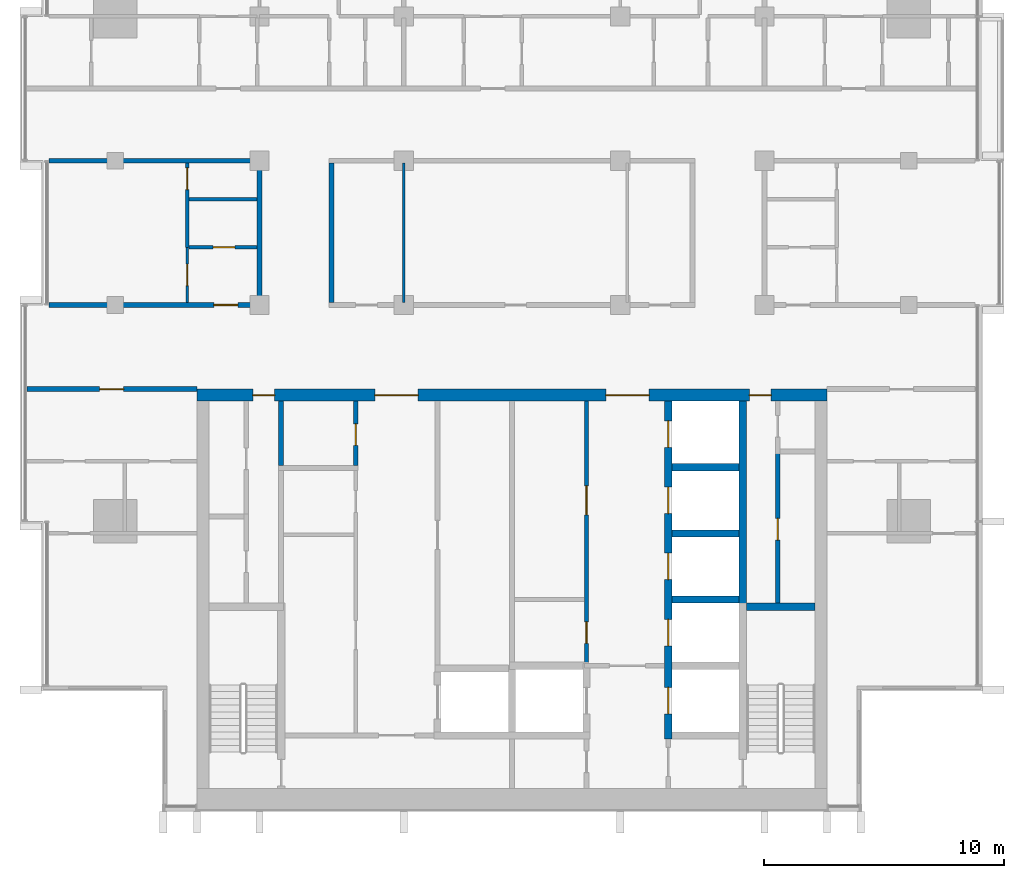
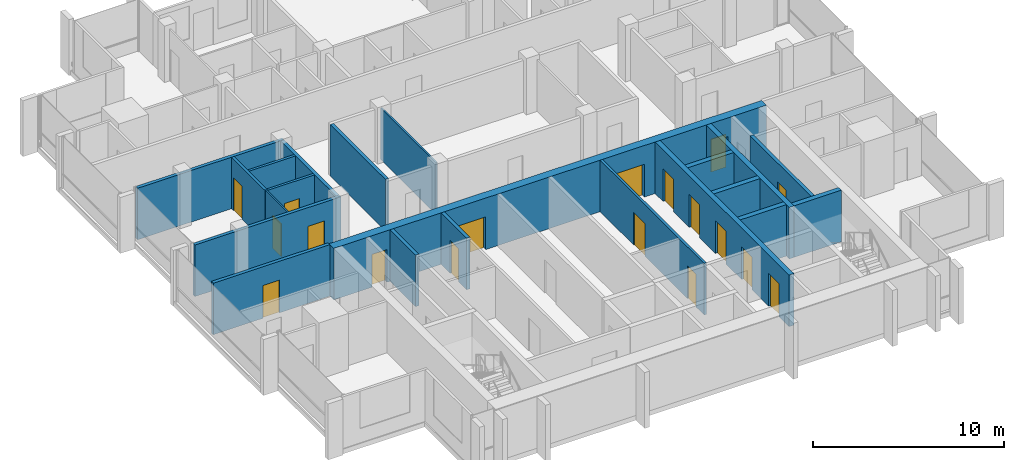
# One storey, part 8 of 16: 21 walls, 18 doors, 18 openings.
"""IFC4 building model written with IfcOpenShell, lengths in metres."""

from ifc_helpers import new_model, si_unit, direction, frame, frame_2d, origin, place, context, subcontext, project, spatial, rectangle, extrude, material, layer, layer_set, type_object, element, fill, save


model = new_model("IFC4")

# Units and contexts
model_context = context("Model", 3, precision=1e-05, world=origin(), true_north=direction((0.0, 1.0)))
body_context = subcontext(model_context, "Body", "Model", "MODEL_VIEW")
ifc_project = project(units=[si_unit("LENGTHUNIT", "METRE"), si_unit("AREAUNIT", "SQUARE_METRE"), si_unit("VOLUMEUNIT", "CUBIC_METRE"), si_unit("PLANEANGLEUNIT", "RADIAN"), si_unit("MASSUNIT", "GRAM", prefix="KILO")], contexts=[model_context])

# Site, building, storey
site_placement = place(None, origin())
site = spatial("IfcSite", under=ifc_project, at=site_placement, CompositionType="ELEMENT")
building_placement = place(site_placement, origin())
building = spatial("IfcBuilding", under=site, at=building_placement, Name="Finial Court Residences", CompositionType="ELEMENT")
storey_placement = place(building_placement, frame((0.0, 0.0, 291.5)))
storey = spatial("IfcBuildingStorey", under=building, at=storey_placement, Name="L74", CompositionType="ELEMENT", Elevation=291.5)

# Wall, openings, doors
ifc_material_1 = material(Name="Concrete C50/60", Category="concrete")
ifc_layer_1 = layer(ifc_material_1, 0.5)
ifc_layer_set_1 = layer_set([ifc_layer_1], Name="Core outer wall 500 Concrete C50/60")
wall_type_1 = type_object("IfcWallType", Name="Core outer wall 500 Concrete C50/60", PredefinedType="SHEAR", material=ifc_layer_set_1)
wall_1_placement = place(storey_placement, frame((-13.10009765625, -8.25, 0.0), z_axis=(0.0, 0.0, 1.0), x_axis=(1.0, 0.0, 0.0)))
wall_1 = element("IfcWall", 1, at=wall_1_placement, inside=storey, type_object=wall_type_1, Name="Core outer wall L74-02", PredefinedType="SHEAR", context=body_context, shape_type="SweptSolid", body=[
    extrude(rectangle(XDim=26.2001953125, YDim=0.5, at=frame_2d((13.10009765625, 0.0))), origin(), (0.0, 0.0, 1.0), 3.300048828125),
])
opening_1_placement = place(wall_1_placement, frame((7.39990234375, 0.0, 0.0)))
opening_1 = element("IfcOpeningElement", 2, at=opening_1_placement, cuts=wall_1, Name="Opening L74-C04", PredefinedType="OPENING", context=body_context, shape_type="SweptSolid", body=[
    extrude(rectangle(XDim=1.800048828125, YDim=2.10009765625, at=frame_2d((0.89990234375, 1.050048828125))), frame((0.0, 0.260009765625, 0.0), z_axis=(0.0, -1.0, 0.0), x_axis=(1.0, 0.0, 0.0)), (0.0, 0.0, 1.0), 0.52001953125),
])
opening_2_placement = place(wall_1_placement, frame((17.0, 0.0, 0.0)))
opening_2 = element("IfcOpeningElement", 3, at=opening_2_placement, cuts=wall_1, Name="Opening L74-C05", PredefinedType="OPENING", context=body_context, shape_type="SweptSolid", body=[
    extrude(rectangle(XDim=1.800048828125, YDim=2.10009765625, at=frame_2d((0.89990234375, 1.050048828125))), frame((0.0, 0.260009765625, 0.0), z_axis=(0.0, -1.0, 0.0), x_axis=(1.0, 0.0, 0.0)), (0.0, 0.0, 1.0), 0.52001953125),
])
opening_3_placement = place(wall_1_placement, frame((2.324951171875, 0.0, 0.0)))
opening_3 = element("IfcOpeningElement", 4, at=opening_3_placement, cuts=wall_1, Name="Opening L74-C11", PredefinedType="OPENING", context=body_context, shape_type="SweptSolid", body=[
    extrude(rectangle(XDim=0.89990234375, YDim=2.10009765625, at=frame_2d((0.449951171875, 1.050048828125))), frame((0.0, 0.260009765625, 0.0), z_axis=(0.0, -1.0, 0.0), x_axis=(1.0, 0.0, 0.0)), (0.0, 0.0, 1.0), 0.52001953125),
])
opening_4_placement = place(wall_1_placement, frame((22.97509765625, 0.0, 0.0)))
opening_4 = element("IfcOpeningElement", 5, at=opening_4_placement, cuts=wall_1, Name="Opening L74-C12", PredefinedType="OPENING", context=body_context, shape_type="SweptSolid", body=[
    extrude(rectangle(XDim=0.89990234375, YDim=2.10009765625, at=frame_2d((0.449951171875, 1.050048828125))), frame((0.0, 0.260009765625, 0.0), z_axis=(0.0, -1.0, 0.0), x_axis=(1.0, 0.0, 0.0)), (0.0, 0.0, 1.0), 0.52001953125),
])
ifc_material_2 = material(Name="Steel fire door", Category="steel")
door_type_1 = type_object("IfcDoorType", Name="Lift lobby door 1800 x 2100 EI 60", OperationType="DOUBLE_DOOR_SINGLE_SWING", PredefinedType="DOOR", material=ifc_material_2)
door_1_placement = place(opening_1_placement, origin())
door_1 = element("IfcDoor", 6, at=door_1_placement, inside=storey, type_object=door_type_1, Name="Lift lobby door L74-C04", OperationType="DOUBLE_DOOR_SINGLE_SWING", OverallHeight=2.10009765625, OverallWidth=1.800048828125, PredefinedType="DOOR", context=body_context, shape_type="SweptSolid", body=[
    extrude(rectangle(XDim=1.800048828125, YDim=2.10009765625, at=frame_2d((0.89990234375, 1.050048828125))), frame((0.0, 0.02490234375, 0.0), z_axis=(0.0, -1.0, 0.0), x_axis=(1.0, 0.0, 0.0)), (0.0, 0.0, 1.0), 0.050048828125),
])
fill(opening_1, door_1)
door_2_placement = place(opening_2_placement, origin())
door_2 = element("IfcDoor", 7, at=door_2_placement, inside=storey, type_object=door_type_1, Name="Lift lobby door L74-C05", OperationType="DOUBLE_DOOR_SINGLE_SWING", OverallHeight=2.10009765625, OverallWidth=1.800048828125, PredefinedType="DOOR", context=body_context, shape_type="SweptSolid", body=[
    extrude(rectangle(XDim=1.800048828125, YDim=2.10009765625, at=frame_2d((0.89990234375, 1.050048828125))), frame((0.0, 0.02490234375, 0.0), z_axis=(0.0, -1.0, 0.0), x_axis=(1.0, 0.0, 0.0)), (0.0, 0.0, 1.0), 0.050048828125),
])
fill(opening_2, door_2)
door_type_2 = type_object("IfcDoorType", Name="Riser room door 900 x 2100 EI 90", OperationType="NOTDEFINED", PredefinedType="DOOR", material=ifc_material_2)
door_3_placement = place(opening_3_placement, origin())
door_3 = element("IfcDoor", 8, at=door_3_placement, inside=storey, type_object=door_type_2, Name="Riser room door L74-C11", OperationType="SINGLE_SWING_RIGHT", OverallHeight=2.10009765625, OverallWidth=0.89990234375, PredefinedType="DOOR", context=body_context, shape_type="SweptSolid", body=[
    extrude(rectangle(XDim=0.89990234375, YDim=2.10009765625, at=frame_2d((0.449951171875, 1.050048828125))), frame((0.0, 0.02490234375, 0.0), z_axis=(0.0, -1.0, 0.0), x_axis=(1.0, 0.0, 0.0)), (0.0, 0.0, 1.0), 0.050048828125),
])
fill(opening_3, door_3)
door_4_placement = place(opening_4_placement, origin())
door_4 = element("IfcDoor", 9, at=door_4_placement, inside=storey, type_object=door_type_2, Name="Riser room door L74-C12", OperationType="SINGLE_SWING_LEFT", OverallHeight=2.10009765625, OverallWidth=0.89990234375, PredefinedType="DOOR", context=body_context, shape_type="SweptSolid", body=[
    extrude(rectangle(XDim=0.89990234375, YDim=2.10009765625, at=frame_2d((0.449951171875, 1.050048828125))), frame((0.0, 0.02490234375, 0.0), z_axis=(0.0, -1.0, 0.0), x_axis=(1.0, 0.0, 0.0)), (0.0, 0.0, 1.0), 0.050048828125),
])
fill(opening_4, door_4)

ifc_material_3 = material(Name="Fire-rated gypsum board partition")
ifc_layer_2 = layer(ifc_material_3, 0.14990234375)
ifc_layer_set_2 = layer_set([ifc_layer_2], Name="Core room partition 150 EI 60")
wall_type_2 = type_object("IfcWallType", Name="Core room partition 150 EI 60", PredefinedType="PARTITIONING", material=ifc_layer_set_2)
wall_2_placement = place(storey_placement, frame((3.10009765625, -19.39990234375, 0.0), z_axis=(0.0, 0.0, 1.0), x_axis=(0.0, 1.0, 0.0)))
wall_2 = element("IfcWall", 10, at=wall_2_placement, inside=storey, type_object=wall_type_2, Name="Core partition L74-32", PredefinedType="PARTITIONING", context=body_context, shape_type="SweptSolid", body=[
    extrude(rectangle(XDim=10.89990234375, YDim=0.14990234375, at=frame_2d((5.449951171875, 0.0))), origin(), (0.0, 0.0, 1.0), 3.300048828125),
])
opening_5_placement = place(wall_2_placement, frame((0.824951171875, 0.0, 0.0)))
opening_5 = element("IfcOpeningElement", 11, at=opening_5_placement, cuts=wall_2, Name="Opening L74-C17", PredefinedType="OPENING", context=body_context, shape_type="SweptSolid", body=[
    extrude(rectangle(XDim=0.89990234375, YDim=2.10009765625, at=frame_2d((0.449951171875, 1.050048828125))), frame((0.0, 0.0849609375, 0.0), z_axis=(0.0, -1.0, 0.0), x_axis=(1.0, 0.0, 0.0)), (0.0, 0.0, 1.0), 0.169921875),
])
opening_6_placement = place(wall_2_placement, frame((6.175048828125, 0.0, 0.0)))
opening_6 = element("IfcOpeningElement", 12, at=opening_6_placement, cuts=wall_2, Name="Opening L74-C18", PredefinedType="OPENING", context=body_context, shape_type="SweptSolid", body=[
    extrude(rectangle(XDim=1.199951171875, YDim=2.10009765625, at=frame_2d((0.60009765625, 1.050048828125))), frame((0.0, 0.0849609375, 0.0), z_axis=(0.0, -1.0, 0.0), x_axis=(1.0, 0.0, 0.0)), (0.0, 0.0, 1.0), 0.169921875),
])
door_type_3 = type_object("IfcDoorType", Name="Core room door 1200 x 2100 EI 60", OperationType="NOTDEFINED", PredefinedType="DOOR", material=ifc_material_2)
door_5_placement = place(opening_6_placement, origin())
door_5 = element("IfcDoor", 13, at=door_5_placement, inside=storey, type_object=door_type_3, Name="Core room door L74-C18", OperationType="SINGLE_SWING_LEFT", OverallHeight=2.10009765625, OverallWidth=1.199951171875, PredefinedType="DOOR", context=body_context, shape_type="SweptSolid", body=[
    extrude(rectangle(XDim=1.199951171875, YDim=2.10009765625, at=frame_2d((0.60009765625, 1.050048828125))), frame((0.0, 0.02490234375, 0.0), z_axis=(0.0, -1.0, 0.0), x_axis=(1.0, 0.0, 0.0)), (0.0, 0.0, 1.0), 0.050048828125),
])
fill(opening_6, door_5)
door_type_4 = type_object("IfcDoorType", Name="Core room door 900 x 2100 EI 60", OperationType="NOTDEFINED", PredefinedType="DOOR", material=ifc_material_2)
door_6_placement = place(opening_5_placement, origin())
door_6 = element("IfcDoor", 14, at=door_6_placement, inside=storey, type_object=door_type_4, Name="Core room door L74-C17", OperationType="SINGLE_SWING_LEFT", OverallHeight=2.10009765625, OverallWidth=0.89990234375, PredefinedType="DOOR", context=body_context, shape_type="SweptSolid", body=[
    extrude(rectangle(XDim=0.89990234375, YDim=2.10009765625, at=frame_2d((0.449951171875, 1.050048828125))), frame((0.0, 0.02490234375, 0.0), z_axis=(0.0, -1.0, 0.0), x_axis=(1.0, 0.0, 0.0)), (0.0, 0.0, 1.0), 0.050048828125),
])
fill(opening_5, door_6)

# Wall, opening, door
ifc_material_4 = material(Name="Gypsum board")
ifc_layer_3 = layer(ifc_material_4, 0.02490234375)
ifc_material_5 = material(Name="Acoustic mineral wool in double frame")
ifc_layer_4 = layer(ifc_material_5, 0.14990234375)
ifc_layer_5 = layer(ifc_material_4, 0.02490234375)
ifc_layer_set_3 = layer_set([ifc_layer_3, ifc_layer_4, ifc_layer_5], Name="Corridor wall 200, 1 hour")
wall_type_3 = type_object("IfcWallType", Name="Corridor wall 200, 1 hour", PredefinedType="PARTITIONING", material=ifc_layer_set_3)
wall_3_placement = place(storey_placement, frame((-20.16259765625, -8.0, 0.0), z_axis=(0.0, 0.0, 1.0), x_axis=(1.0, 0.0, 0.0)))
wall_3 = element("IfcWall", 15, at=wall_3_placement, inside=storey, type_object=wall_type_3, Name="Partition L74-004", PredefinedType="PARTITIONING", context=body_context, shape_type="SweptSolid", body=[
    extrude(rectangle(XDim=7.0625, YDim=0.199951171875, at=frame_2d((3.53125, 0.0))), origin(), (0.0, 0.0, 1.0), 3.300048828125),
])
opening_7_placement = place(wall_3_placement, frame((3.012939453125, 0.0, 0.0)))
opening_7 = element("IfcOpeningElement", 16, at=opening_7_placement, cuts=wall_3, Name="Opening L74-D007", PredefinedType="OPENING", context=body_context, shape_type="SweptSolid", body=[
    extrude(rectangle(XDim=1.0, YDim=2.10009765625, at=frame_2d((0.5, 1.050048828125))), frame((0.0, 0.10986328125, 0.0), z_axis=(0.0, -1.0, 0.0), x_axis=(1.0, 0.0, 0.0)), (0.0, 0.0, 1.0), 0.219970703125),
])
ifc_material_6 = material(Name="Timber door leaf in hollow metal frame", Category="wood")
door_type_5 = type_object("IfcDoorType", Name="Fire door set 1000 x 2100, 30 minutes", OperationType="SINGLE_SWING_LEFT", PredefinedType="DOOR", material=ifc_material_6)
door_7_placement = place(opening_7_placement, origin())
door_7 = element("IfcDoor", 17, at=door_7_placement, inside=storey, type_object=door_type_5, Name="Door L74-D007", OperationType="SINGLE_SWING_LEFT", OverallHeight=2.10009765625, OverallWidth=1.0, PredefinedType="DOOR", context=body_context, shape_type="SweptSolid", body=[
    extrude(rectangle(XDim=1.0, YDim=2.10009765625, at=frame_2d((0.5, 1.050048828125))), frame((0.0, 0.02490234375, 0.0), z_axis=(0.0, -1.0, 0.0), x_axis=(1.0, 0.0, 0.0)), (0.0, 0.0, 1.0), 0.050048828125),
])
fill(opening_7, door_7)

wall_4_placement = place(storey_placement, frame((-19.262451171875, -4.5, 0.0), z_axis=(0.0, 0.0, 1.0), x_axis=(1.0, 0.0, 0.0)))
wall_4 = element("IfcWall", 18, at=wall_4_placement, inside=storey, type_object=wall_type_3, Name="Partition L74-006", PredefinedType="PARTITIONING", context=body_context, shape_type="SweptSolid", body=[
    extrude(rectangle(XDim=8.862548828125, YDim=0.199951171875, at=frame_2d((4.43115234375, 0.0))), origin(), (0.0, 0.0, 1.0), 3.300048828125),
])
opening_8_placement = place(wall_4_placement, frame((6.862060546875, 0.0, 0.0)))
opening_8 = element("IfcOpeningElement", 19, at=opening_8_placement, cuts=wall_4, Name="Opening L74-D009", PredefinedType="OPENING", context=body_context, shape_type="SweptSolid", body=[
    extrude(rectangle(XDim=1.0, YDim=2.10009765625, at=frame_2d((0.5, 1.050048828125))), frame((0.0, 0.10986328125, 0.0), z_axis=(0.0, -1.0, 0.0), x_axis=(1.0, 0.0, 0.0)), (0.0, 0.0, 1.0), 0.219970703125),
])
door_8_placement = place(opening_8_placement, origin())
door_8 = element("IfcDoor", 20, at=door_8_placement, inside=storey, type_object=door_type_5, Name="Door L74-D009", OperationType="SINGLE_SWING_LEFT", OverallHeight=2.10009765625, OverallWidth=1.0, PredefinedType="DOOR", context=body_context, shape_type="SweptSolid", body=[
    extrude(rectangle(XDim=1.0, YDim=2.10009765625, at=frame_2d((0.5, 1.050048828125))), frame((0.0, 0.02490234375, 0.0), z_axis=(0.0, -1.0, 0.0), x_axis=(1.0, 0.0, 0.0)), (0.0, 0.0, 1.0), 0.050048828125),
])
fill(opening_8, door_8)

# Walls
wall_5_placement = place(storey_placement, frame((-19.262451171875, 1.5, 0.0), z_axis=(0.0, 0.0, 1.0), x_axis=(1.0, 0.0, 0.0)))
element("IfcWall", 21, at=wall_5_placement, inside=storey, type_object=wall_type_3, Name="Partition L74-013", PredefinedType="PARTITIONING", context=body_context, shape_type="SweptSolid", body=[
    extrude(rectangle(XDim=8.862548828125, YDim=0.199951171875, at=frame_2d((4.43115234375, 0.0))), origin(), (0.0, 0.0, 1.0), 3.300048828125),
])
for number, where, z_axis, x_axis, name in (
    (22, (-10.5, -4.39990234375, 0.0), (0.0, 0.0, 1.0), (0.0, 1.0, 0.0), "Partition L74-036"),
    (23, (-7.5, -4.39990234375, 0.0), (0.0, 0.0, 1.0), (0.0, 1.0, 0.0), "Partition L74-039"),
):
    element("IfcWall", number, at=place(storey_placement, frame(where, z_axis=z_axis, x_axis=x_axis)), inside=storey, type_object=wall_type_3, Name=name, PredefinedType="PARTITIONING", context=body_context, shape_type="SweptSolid", body=[
        extrude(rectangle(XDim=5.7998046875, YDim=0.199951171875, at=frame_2d((2.89990234375, 0.0))), origin(), (0.0, 0.0, 1.0), 3.300048828125),
    ])

# Wall, opening, door
ifc_layer_6 = layer(ifc_material_4, 0.012451171875)
ifc_material_7 = material(Name="Mineral wool in light-gauge frame")
ifc_layer_7 = layer(ifc_material_7, 0.074951171875)
ifc_layer_8 = layer(ifc_material_4, 0.012451171875)
ifc_layer_set_4 = layer_set([ifc_layer_6, ifc_layer_7, ifc_layer_8], Name="Gypsum board partition 100")
wall_type_4 = type_object("IfcWallType", Name="Gypsum board partition 100", PredefinedType="PARTITIONING", material=ifc_layer_set_4)
wall_6_placement = place(storey_placement, frame((-13.5, -4.39990234375, 0.0), z_axis=(0.0, 0.0, 1.0), x_axis=(0.0, 1.0, 0.0)))
wall_6 = element("IfcWall", 24, at=wall_6_placement, inside=storey, type_object=wall_type_4, Name="Partition L74-032", PredefinedType="PARTITIONING", context=body_context, shape_type="SweptSolid", body=[
    extrude(rectangle(XDim=2.2998046875, YDim=0.10009765625, at=frame_2d((1.14990234375, 0.0))), origin(), (0.0, 0.0, 1.0), 3.300048828125),
])
opening_9_placement = place(wall_6_placement, frame((0.699951171875, 0.0, 0.0)))
opening_9 = element("IfcOpeningElement", 25, at=opening_9_placement, cuts=wall_6, Name="Opening L74-D027", PredefinedType="OPENING", context=body_context, shape_type="SweptSolid", body=[
    extrude(rectangle(XDim=0.89990234375, YDim=2.10009765625, at=frame_2d((0.449951171875, 1.050048828125))), frame((0.0, 0.06005859375, 0.0), z_axis=(0.0, -1.0, 0.0), x_axis=(1.0, 0.0, 0.0)), (0.0, 0.0, 1.0), 0.1201171875),
])
ifc_material_8 = material(Name="Timber door leaf in timber frame", Category="wood")
door_type_6 = type_object("IfcDoorType", Name="Door set 900 x 2100", OperationType="SINGLE_SWING_LEFT", PredefinedType="DOOR", material=ifc_material_8)
door_9_placement = place(opening_9_placement, origin())
door_9 = element("IfcDoor", 26, at=door_9_placement, inside=storey, type_object=door_type_6, Name="Door L74-D027", OperationType="SINGLE_SWING_LEFT", OverallHeight=2.10009765625, OverallWidth=0.89990234375, PredefinedType="DOOR", context=body_context, shape_type="SweptSolid", body=[
    extrude(rectangle(XDim=0.89990234375, YDim=2.10009765625, at=frame_2d((0.449951171875, 1.050048828125))), frame((0.0, 0.02490234375, 0.0), z_axis=(0.0, -1.0, 0.0), x_axis=(1.0, 0.0, 0.0)), (0.0, 0.0, 1.0), 0.050048828125),
])
fill(opening_9, door_9)

# Wall
wall_7_placement = place(storey_placement, frame((-4.5, -4.39990234375, 0.0), z_axis=(0.0, 0.0, 1.0), x_axis=(0.0, 1.0, 0.0)))
element("IfcWall", 27, at=wall_7_placement, inside=storey, type_object=wall_type_4, Name="Partition L74-042", PredefinedType="PARTITIONING", context=body_context, shape_type="SweptSolid", body=[
    extrude(rectangle(XDim=5.7998046875, YDim=0.10009765625, at=frame_2d((2.89990234375, 0.0))), origin(), (0.0, 0.0, 1.0), 3.300048828125),
])

# Wall, opening, door
ifc_material_9 = material(Name="Moisture-resistant gypsum board")
ifc_layer_9 = layer(ifc_material_9, 0.012451171875)
ifc_layer_10 = layer(ifc_material_7, 0.125)
ifc_layer_11 = layer(ifc_material_9, 0.012451171875)
ifc_layer_set_5 = layer_set([ifc_layer_9, ifc_layer_10, ifc_layer_11], Name="Gypsum board wet-area partition 150")
wall_type_5 = type_object("IfcWallType", Name="Gypsum board wet-area partition 150", PredefinedType="PARTITIONING", material=ifc_layer_set_5)
wall_8_placement = place(storey_placement, frame((-13.425048828125, -2.10009765625, 0.0), z_axis=(0.0, 0.0, 1.0), x_axis=(1.0, 0.0, 0.0)))
wall_8 = element("IfcWall", 28, at=wall_8_placement, inside=storey, type_object=wall_type_5, Name="Partition L74-009", PredefinedType="PARTITIONING", context=body_context, shape_type="SweptSolid", body=[
    extrude(rectangle(XDim=2.824951171875, YDim=0.14990234375, at=frame_2d((1.41259765625, 0.0))), origin(), (0.0, 0.0, 1.0), 3.300048828125),
])
opening_10_placement = place(wall_8_placement, frame((1.0, 0.0, 0.0)))
opening_10 = element("IfcOpeningElement", 29, at=opening_10_placement, cuts=wall_8, Name="Opening L74-D014", PredefinedType="OPENING", context=body_context, shape_type="SweptSolid", body=[
    extrude(rectangle(XDim=0.89990234375, YDim=2.10009765625, at=frame_2d((0.449951171875, 1.050048828125))), frame((0.0, 0.0849609375, 0.0), z_axis=(0.0, -1.0, 0.0), x_axis=(1.0, 0.0, 0.0)), (0.0, 0.0, 1.0), 0.169921875),
])
door_10_placement = place(opening_10_placement, origin())
door_10 = element("IfcDoor", 30, at=door_10_placement, inside=storey, type_object=door_type_6, Name="Door L74-D014", OperationType="SINGLE_SWING_RIGHT", OverallHeight=2.10009765625, OverallWidth=0.89990234375, PredefinedType="DOOR", context=body_context, shape_type="SweptSolid", body=[
    extrude(rectangle(XDim=0.89990234375, YDim=2.10009765625, at=frame_2d((0.449951171875, 1.050048828125))), frame((0.0, 0.02490234375, 0.0), z_axis=(0.0, -1.0, 0.0), x_axis=(1.0, 0.0, 0.0)), (0.0, 0.0, 1.0), 0.050048828125),
])
fill(opening_10, door_10)

# Wall
wall_9_placement = place(storey_placement, frame((-13.425048828125, -0.10009765625, 0.0), z_axis=(0.0, 0.0, 1.0), x_axis=(1.0, 0.0, 0.0)))
element("IfcWall", 31, at=wall_9_placement, inside=storey, type_object=wall_type_5, Name="Partition L74-011", PredefinedType="PARTITIONING", context=body_context, shape_type="SweptSolid", body=[
    extrude(rectangle(XDim=2.824951171875, YDim=0.14990234375, at=frame_2d((1.41259765625, 0.0))), origin(), (0.0, 0.0, 1.0), 3.300048828125),
])

# Wall, opening, door
wall_10_placement = place(storey_placement, frame((-13.5, -2.10009765625, 0.0), z_axis=(0.0, 0.0, 1.0), x_axis=(0.0, 1.0, 0.0)))
wall_10 = element("IfcWall", 32, at=wall_10_placement, inside=storey, type_object=wall_type_5, Name="Partition L74-033", PredefinedType="PARTITIONING", context=body_context, shape_type="SweptSolid", body=[
    extrude(rectangle(XDim=3.5, YDim=0.14990234375, at=frame_2d((1.75, 0.0))), origin(), (0.0, 0.0, 1.0), 3.300048828125),
])
opening_11_placement = place(wall_10_placement, frame((2.39990234375, 0.0, 0.0)))
opening_11 = element("IfcOpeningElement", 33, at=opening_11_placement, cuts=wall_10, Name="Opening L74-D028", PredefinedType="OPENING", context=body_context, shape_type="SweptSolid", body=[
    extrude(rectangle(XDim=0.89990234375, YDim=2.10009765625, at=frame_2d((0.449951171875, 1.050048828125))), frame((0.0, 0.0849609375, 0.0), z_axis=(0.0, -1.0, 0.0), x_axis=(1.0, 0.0, 0.0)), (0.0, 0.0, 1.0), 0.169921875),
])
door_11_placement = place(opening_11_placement, origin())
door_11 = element("IfcDoor", 34, at=door_11_placement, inside=storey, type_object=door_type_6, Name="Door L74-D028", OperationType="SINGLE_SWING_RIGHT", OverallHeight=2.10009765625, OverallWidth=0.89990234375, PredefinedType="DOOR", context=body_context, shape_type="SweptSolid", body=[
    extrude(rectangle(XDim=0.89990234375, YDim=2.10009765625, at=frame_2d((0.449951171875, 1.050048828125))), frame((0.0, 0.02490234375, 0.0), z_axis=(0.0, -1.0, 0.0), x_axis=(1.0, 0.0, 0.0)), (0.0, 0.0, 1.0), 0.050048828125),
])
fill(opening_11, door_11)

# Walls
ifc_layer_12 = layer(ifc_material_1, 0.300048828125)
ifc_layer_set_6 = layer_set([ifc_layer_12], Name="Lift shaft and stair wall 300 Concrete C50/60")
wall_type_6 = type_object("IfcWallType", Name="Lift shaft and stair wall 300 Concrete C50/60", PredefinedType="SHEAR", material=ifc_layer_set_6)
wall_11_placement = place(storey_placement, frame((9.75, -17.050048828125, 0.0), z_axis=(0.0, 0.0, 1.0), x_axis=(1.0, 0.0, 0.0)))
element("IfcWall", 35, at=wall_11_placement, inside=storey, type_object=wall_type_6, Name="Core wall L74-09", PredefinedType="SHEAR", context=body_context, shape_type="SweptSolid", body=[
    extrude(rectangle(XDim=2.85009765625, YDim=0.300048828125, at=frame_2d((1.425048828125, 0.0))), origin(), (0.0, 0.0, 1.0), 3.300048828125),
])
for number, where, z_axis, x_axis, name in (
    (36, (6.64990234375, -16.75, 0.0), (0.0, 0.0, 1.0), (1.0, 0.0, 0.0), "Core wall L74-11"),
    (37, (6.64990234375, -14.0, 0.0), (0.0, 0.0, 1.0), (1.0, 0.0, 0.0), "Core wall L74-13"),
    (38, (6.64990234375, -11.25, 0.0), (0.0, 0.0, 1.0), (1.0, 0.0, 0.0), "Core wall L74-16"),
):
    element("IfcWall", number, at=place(storey_placement, frame(where, z_axis=z_axis, x_axis=x_axis)), inside=storey, type_object=wall_type_6, Name=name, PredefinedType="SHEAR", context=body_context, shape_type="SweptSolid", body=[
        extrude(rectangle(XDim=2.800048828125, YDim=0.300048828125, at=frame_2d((1.39990234375, 0.0))), origin(), (0.0, 0.0, 1.0), 3.300048828125),
    ])

# Wall, openings, doors
wall_12_placement = place(storey_placement, frame((6.5, -22.550048828125, 0.0), z_axis=(0.0, 0.0, 1.0), x_axis=(0.0, 1.0, 0.0)))
wall_12 = element("IfcWall", 39, at=wall_12_placement, inside=storey, type_object=wall_type_6, Name="Core wall L74-34", PredefinedType="SHEAR", context=body_context, shape_type="SweptSolid", body=[
    extrude(rectangle(XDim=14.050048828125, YDim=0.300048828125, at=frame_2d((7.02490234375, 0.0))), origin(), (0.0, 0.0, 1.0), 3.300048828125),
])
opening_12_placement = place(wall_12_placement, frame((1.050048828125, 0.0, 0.0)))
opening_12 = element("IfcOpeningElement", 40, at=opening_12_placement, cuts=wall_12, Name="Opening L74-LD02", PredefinedType="OPENING", context=body_context, shape_type="SweptSolid", body=[
    extrude(rectangle(XDim=1.10009765625, YDim=2.10009765625, at=frame_2d((0.550048828125, 1.050048828125))), frame((0.0, 0.159912109375, 0.0), z_axis=(0.0, -1.0, 0.0), x_axis=(1.0, 0.0, 0.0)), (0.0, 0.0, 1.0), 0.320068359375),
])
opening_13_placement = place(wall_12_placement, frame((3.875, 0.0, 0.0)))
opening_13 = element("IfcOpeningElement", 41, at=opening_13_placement, cuts=wall_12, Name="Opening L74-LD03", PredefinedType="OPENING", context=body_context, shape_type="SweptSolid", body=[
    extrude(rectangle(XDim=1.10009765625, YDim=2.10009765625, at=frame_2d((0.550048828125, 1.050048828125))), frame((0.0, 0.159912109375, 0.0), z_axis=(0.0, -1.0, 0.0), x_axis=(1.0, 0.0, 0.0)), (0.0, 0.0, 1.0), 0.320068359375),
])
opening_14_placement = place(wall_12_placement, frame((6.625, 0.0, 0.0)))
opening_14 = element("IfcOpeningElement", 42, at=opening_14_placement, cuts=wall_12, Name="Opening L74-LD04", PredefinedType="OPENING", context=body_context, shape_type="SweptSolid", body=[
    extrude(rectangle(XDim=1.10009765625, YDim=2.10009765625, at=frame_2d((0.550048828125, 1.050048828125))), frame((0.0, 0.159912109375, 0.0), z_axis=(0.0, -1.0, 0.0), x_axis=(1.0, 0.0, 0.0)), (0.0, 0.0, 1.0), 0.320068359375),
])
opening_15_placement = place(wall_12_placement, frame((9.375, 0.0, 0.0)))
opening_15 = element("IfcOpeningElement", 43, at=opening_15_placement, cuts=wall_12, Name="Opening L74-LD05", PredefinedType="OPENING", context=body_context, shape_type="SweptSolid", body=[
    extrude(rectangle(XDim=1.10009765625, YDim=2.10009765625, at=frame_2d((0.550048828125, 1.050048828125))), frame((0.0, 0.159912109375, 0.0), z_axis=(0.0, -1.0, 0.0), x_axis=(1.0, 0.0, 0.0)), (0.0, 0.0, 1.0), 0.320068359375),
])
opening_16_placement = place(wall_12_placement, frame((12.125, 0.0, 0.0)))
opening_16 = element("IfcOpeningElement", 44, at=opening_16_placement, cuts=wall_12, Name="Opening L74-LD06", PredefinedType="OPENING", context=body_context, shape_type="SweptSolid", body=[
    extrude(rectangle(XDim=1.10009765625, YDim=2.10009765625, at=frame_2d((0.550048828125, 1.050048828125))), frame((0.0, 0.159912109375, 0.0), z_axis=(0.0, -1.0, 0.0), x_axis=(1.0, 0.0, 0.0)), (0.0, 0.0, 1.0), 0.320068359375),
])
ifc_material_10 = material(Name="Stainless steel lift door", Category="steel")
door_type_7 = type_object("IfcDoorType", Name="Lift landing door 1100 x 2100 EI 90", OperationType="DOUBLE_DOOR_SLIDING", PredefinedType="DOOR", material=ifc_material_10)
door_12_placement = place(opening_12_placement, origin())
door_12 = element("IfcDoor", 45, at=door_12_placement, inside=storey, type_object=door_type_7, Name="Lift landing door FF2 L74", OperationType="DOUBLE_DOOR_SLIDING", OverallHeight=2.10009765625, OverallWidth=1.10009765625, PredefinedType="DOOR", context=body_context, shape_type="SweptSolid", body=[
    extrude(rectangle(XDim=1.10009765625, YDim=2.10009765625, at=frame_2d((0.550048828125, 1.050048828125))), frame((0.0, 0.02490234375, 0.0), z_axis=(0.0, -1.0, 0.0), x_axis=(1.0, 0.0, 0.0)), (0.0, 0.0, 1.0), 0.050048828125),
])
fill(opening_12, door_12)
door_13_placement = place(opening_13_placement, origin())
door_13 = element("IfcDoor", 46, at=door_13_placement, inside=storey, type_object=door_type_7, Name="Lift landing door HR5 L74", OperationType="DOUBLE_DOOR_SLIDING", OverallHeight=2.10009765625, OverallWidth=1.10009765625, PredefinedType="DOOR", context=body_context, shape_type="SweptSolid", body=[
    extrude(rectangle(XDim=1.10009765625, YDim=2.10009765625, at=frame_2d((0.550048828125, 1.050048828125))), frame((0.0, 0.02490234375, 0.0), z_axis=(0.0, -1.0, 0.0), x_axis=(1.0, 0.0, 0.0)), (0.0, 0.0, 1.0), 0.050048828125),
])
fill(opening_13, door_13)
door_14_placement = place(opening_14_placement, origin())
door_14 = element("IfcDoor", 47, at=door_14_placement, inside=storey, type_object=door_type_7, Name="Lift landing door HR6 L74", OperationType="DOUBLE_DOOR_SLIDING", OverallHeight=2.10009765625, OverallWidth=1.10009765625, PredefinedType="DOOR", context=body_context, shape_type="SweptSolid", body=[
    extrude(rectangle(XDim=1.10009765625, YDim=2.10009765625, at=frame_2d((0.550048828125, 1.050048828125))), frame((0.0, 0.02490234375, 0.0), z_axis=(0.0, -1.0, 0.0), x_axis=(1.0, 0.0, 0.0)), (0.0, 0.0, 1.0), 0.050048828125),
])
fill(opening_14, door_14)
door_15_placement = place(opening_15_placement, origin())
door_15 = element("IfcDoor", 48, at=door_15_placement, inside=storey, type_object=door_type_7, Name="Lift landing door HR7 L74", OperationType="DOUBLE_DOOR_SLIDING", OverallHeight=2.10009765625, OverallWidth=1.10009765625, PredefinedType="DOOR", context=body_context, shape_type="SweptSolid", body=[
    extrude(rectangle(XDim=1.10009765625, YDim=2.10009765625, at=frame_2d((0.550048828125, 1.050048828125))), frame((0.0, 0.02490234375, 0.0), z_axis=(0.0, -1.0, 0.0), x_axis=(1.0, 0.0, 0.0)), (0.0, 0.0, 1.0), 0.050048828125),
])
fill(opening_15, door_15)
door_16_placement = place(opening_16_placement, origin())
door_16 = element("IfcDoor", 49, at=door_16_placement, inside=storey, type_object=door_type_7, Name="Lift landing door HR8 L74", OperationType="DOUBLE_DOOR_SLIDING", OverallHeight=2.10009765625, OverallWidth=1.10009765625, PredefinedType="DOOR", context=body_context, shape_type="SweptSolid", body=[
    extrude(rectangle(XDim=1.10009765625, YDim=2.10009765625, at=frame_2d((0.550048828125, 1.050048828125))), frame((0.0, 0.02490234375, 0.0), z_axis=(0.0, -1.0, 0.0), x_axis=(1.0, 0.0, 0.0)), (0.0, 0.0, 1.0), 0.050048828125),
])
fill(opening_16, door_16)

# Walls
wall_13_placement = place(storey_placement, frame((9.60009765625, -17.199951171875, 0.0), z_axis=(0.0, 0.0, 1.0), x_axis=(0.0, 1.0, 0.0)))
element("IfcWall", 50, at=wall_13_placement, inside=storey, type_object=wall_type_6, Name="Core wall L74-36", PredefinedType="SHEAR", context=body_context, shape_type="SweptSolid", body=[
    extrude(rectangle(XDim=8.699951171875, YDim=0.300048828125, at=frame_2d((4.35009765625, 0.0))), origin(), (0.0, 0.0, 1.0), 3.300048828125),
])
ifc_layer_13 = layer(ifc_material_3, 0.199951171875)
ifc_layer_set_7 = layer_set([ifc_layer_13], Name="Riser room wall 200 EI 120")
wall_type_7 = type_object("IfcWallType", Name="Riser room wall 200 EI 120", PredefinedType="PARTITIONING", material=ifc_layer_set_7)
wall_14_placement = place(storey_placement, frame((-9.60009765625, -11.179931640625, 0.0), z_axis=(0.0, 0.0, 1.0), x_axis=(0.0, 1.0, 0.0)))
element("IfcWall", 51, at=wall_14_placement, inside=storey, type_object=wall_type_7, Name="Core partition L74-22", PredefinedType="PARTITIONING", context=body_context, shape_type="SweptSolid", body=[
    extrude(rectangle(XDim=2.679931640625, YDim=0.199951171875, at=frame_2d((1.33984375, 0.0))), origin(), (0.0, 0.0, 1.0), 3.300048828125),
])

# Wall, opening, door
wall_15_placement = place(storey_placement, frame((-6.5, -11.179931640625, 0.0), z_axis=(0.0, 0.0, 1.0), x_axis=(0.0, 1.0, 0.0)))
wall_15 = element("IfcWall", 52, at=wall_15_placement, inside=storey, type_object=wall_type_7, Name="Core partition L74-24", PredefinedType="PARTITIONING", context=body_context, shape_type="SweptSolid", body=[
    extrude(rectangle(XDim=2.679931640625, YDim=0.199951171875, at=frame_2d((1.33984375, 0.0))), origin(), (0.0, 0.0, 1.0), 3.300048828125),
])
opening_17_placement = place(wall_15_placement, frame((0.840087890625, 0.0, 0.0)))
opening_17 = element("IfcOpeningElement", 53, at=opening_17_placement, cuts=wall_15, Name="Opening L74-C09", PredefinedType="OPENING", context=body_context, shape_type="SweptSolid", body=[
    extrude(rectangle(XDim=0.89990234375, YDim=2.10009765625, at=frame_2d((0.449951171875, 1.050048828125))), frame((0.0, 0.10986328125, 0.0), z_axis=(0.0, -1.0, 0.0), x_axis=(1.0, 0.0, 0.0)), (0.0, 0.0, 1.0), 0.219970703125),
])
door_17_placement = place(opening_17_placement, origin())
door_17 = element("IfcDoor", 54, at=door_17_placement, inside=storey, type_object=door_type_2, Name="Riser room door L74-C09", OperationType="SINGLE_SWING_LEFT", OverallHeight=2.10009765625, OverallWidth=0.89990234375, PredefinedType="DOOR", context=body_context, shape_type="SweptSolid", body=[
    extrude(rectangle(XDim=0.89990234375, YDim=2.10009765625, at=frame_2d((0.449951171875, 1.050048828125))), frame((0.0, 0.02490234375, 0.0), z_axis=(0.0, -1.0, 0.0), x_axis=(1.0, 0.0, 0.0)), (0.0, 0.0, 1.0), 0.050048828125),
])
fill(opening_17, door_17)

ifc_layer_14 = layer(ifc_material_3, 0.199951171875)
ifc_layer_set_8 = layer_set([ifc_layer_14], Name="Stair passage wall 200 EI 180")
wall_type_8 = type_object("IfcWallType", Name="Stair passage wall 200 EI 180", PredefinedType="PARTITIONING", material=ifc_layer_set_8)
wall_16_placement = place(storey_placement, frame((11.050048828125, -10.5, 0.0), z_axis=(0.0, 0.0, 1.0), x_axis=(0.0, -1.0, 0.0)))
wall_16 = element("IfcWall", 55, at=wall_16_placement, inside=storey, type_object=wall_type_8, Name="Core partition L74-37", PredefinedType="PARTITIONING", context=body_context, shape_type="SweptSolid", body=[
    extrude(rectangle(XDim=6.39990234375, YDim=0.199951171875, at=frame_2d((3.199951171875, 0.0))), origin(), (0.0, 0.0, 1.0), 3.300048828125),
])
opening_18_placement = place(wall_16_placement, frame((2.875, 0.0, 0.0)))
opening_18 = element("IfcOpeningElement", 56, at=opening_18_placement, cuts=wall_16, Name="Opening L74-C14", PredefinedType="OPENING", context=body_context, shape_type="SweptSolid", body=[
    extrude(rectangle(XDim=0.89990234375, YDim=2.10009765625, at=frame_2d((0.449951171875, 1.050048828125))), frame((0.0, 0.10986328125, 0.0), z_axis=(0.0, -1.0, 0.0), x_axis=(1.0, 0.0, 0.0)), (0.0, 0.0, 1.0), 0.219970703125),
])
door_18_placement = place(opening_18_placement, origin())
door_18 = element("IfcDoor", 57, at=door_18_placement, inside=storey, type_object=door_type_4, Name="Core room door L74-C14", OperationType="SINGLE_SWING_LEFT", OverallHeight=2.10009765625, OverallWidth=0.89990234375, PredefinedType="DOOR", context=body_context, shape_type="SweptSolid", body=[
    extrude(rectangle(XDim=0.89990234375, YDim=2.10009765625, at=frame_2d((0.449951171875, 1.050048828125))), frame((0.0, 0.02490234375, 0.0), z_axis=(0.0, -1.0, 0.0), x_axis=(1.0, 0.0, 0.0)), (0.0, 0.0, 1.0), 0.050048828125),
])
fill(opening_18, door_18)

save(model, "model.ifc")
